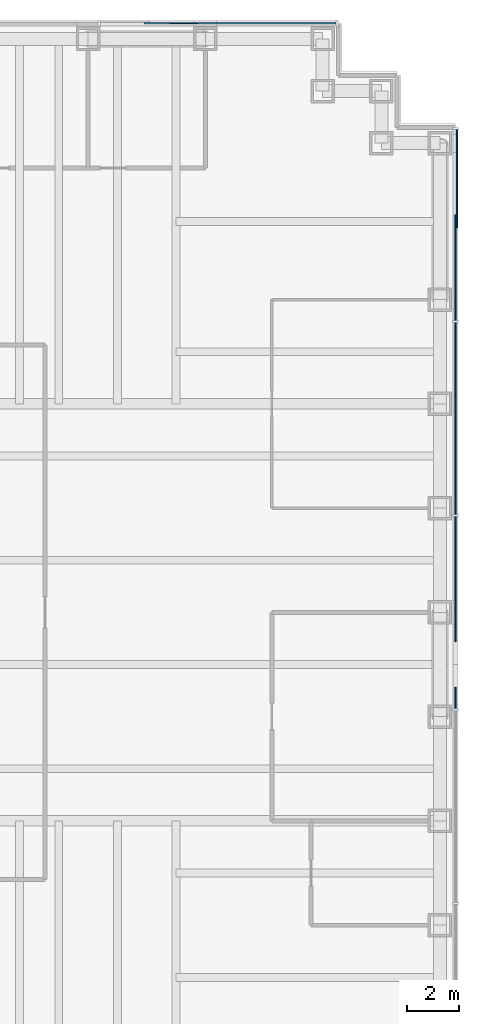
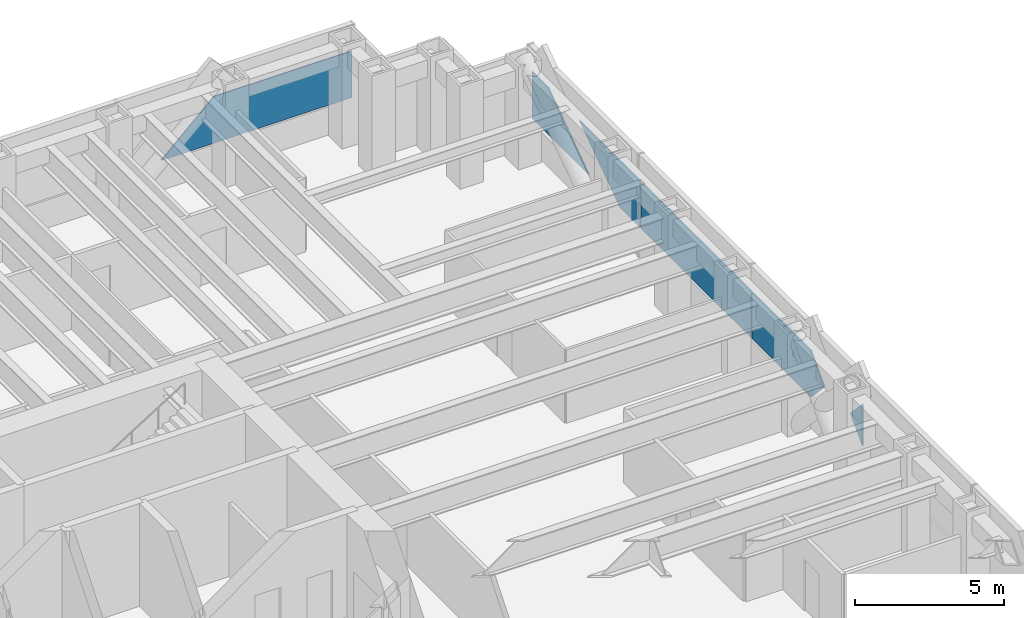
# One storey, part 10 of 16: 6 plates, 2 elements without a shape of their own.
"""IFC4 building model written with IfcOpenShell, lengths in metres."""

from ifc_helpers import new_model, si_unit, direction, frame, origin, origin_2d, place, context, subcontext, project, spatial, polyline, rectangle, outline, extrude, material, layer, layer_set, type_object, element, aggregate, save


model = new_model("IFC4")

# Units and contexts
model_context = context("Model", 3, precision=1e-05, world=origin(), true_north=direction((0.0, 1.0)))
body_context = subcontext(model_context, "Body", "Model", "MODEL_VIEW")
ifc_project = project(units=[si_unit("LENGTHUNIT", "METRE"), si_unit("AREAUNIT", "SQUARE_METRE"), si_unit("VOLUMEUNIT", "CUBIC_METRE"), si_unit("PLANEANGLEUNIT", "RADIAN"), si_unit("MASSUNIT", "GRAM", prefix="KILO")], contexts=[model_context])

# Site, building, storey
site_placement = place(None, origin())
site = spatial("IfcSite", under=ifc_project, at=site_placement, CompositionType="ELEMENT")
building_placement = place(site_placement, origin())
building = spatial("IfcBuilding", under=site, at=building_placement, Name="Rheinbord Bourse Tower", CompositionType="ELEMENT")
storey_placement = place(building_placement, frame((0.0, 0.0, 176.10009765625)))
storey = spatial("IfcBuildingStorey", under=building, at=storey_placement, Name="L39", CompositionType="ELEMENT", Elevation=176.10009765625)

# Curtain wall, plates
ifc_material_1 = material(Name="Dark glass and black aluminium", Category="aluminium")
curtain_wall_type = type_object("IfcCurtainWallType", Name="CW5 DARK GLASS CURTAIN WALL", PredefinedType="USERDEFINED", material=ifc_material_1)
curtain_wall_1_placement = place(storey_placement, origin())
curtain_wall_1 = element("IfcCurtainWall", 1, at=curtain_wall_1_placement, inside=storey, type_object=curtain_wall_type, Name="Curtain wall CW5 E L39", ObjectType="UNITISED CURTAIN WALL", PredefinedType="USERDEFINED")
ifc_material_2 = material(Name="Dark tinted triple insulating glass", Category="glass")
ifc_layer = layer(ifc_material_2, 0.050048828125)
ifc_layer_set = layer_set([ifc_layer], Name="CW5 DARK GLASS PANEL")
plate_type = type_object("IfcPlateType", Name="CW5 DARK GLASS PANEL", PredefinedType="CURTAIN_PANEL", material=ifc_layer_set)
plate_1_placement = place(storey_placement, frame((72.60009765625, 31.43994140625, 1.14990234375), z_axis=(0.0, 0.0, 1.0), x_axis=(0.0, 1.0, 0.0)))
plate_1 = element("IfcPlate", 2, at=plate_1_placement, type_object=plate_type, Name="CW5 panel 4.1", PredefinedType="CURTAIN_PANEL", context=body_context, shape_type="SweptSolid", body=[
    extrude(rectangle(XDim=7.360107421875, YDim=0.050048828125, at=origin_2d()), origin(), (0.0, 0.0, 1.0), 1.89990234375),
])
plate_2_placement = place(storey_placement, frame((72.625, 20.320068359375, 2.950927734375), z_axis=(-1.0, 0.0, 0.0), x_axis=(0.0, 0.689872933294, -0.723930477262)))
plate_2 = element("IfcPlate", 3, at=plate_2_placement, type_object=plate_type, Name="CW5 glass facet 1", PredefinedType="CURTAIN_PANEL", context=body_context, shape_type="SweptSolid", body=[
    extrude(outline(polyline([(0.0, 0.0), (1.175537109375, 0.0), (1.232177734375, 1.174072265625), (0.0, 0.0)])), origin(), (0.0, 0.0, 1.0), 0.050048828125),
])
plate_3_placement = place(storey_placement, frame((72.625, 27.679931640625, 3.0498046875), z_axis=(-1.0, 0.0, 0.0), x_axis=(0.0, 0.0, -1.0)))
plate_3 = element("IfcPlate", 4, at=plate_3_placement, type_object=plate_type, Name="CW5 glass facet 2", PredefinedType="CURTAIN_PANEL", context=body_context, shape_type="SweptSolid", body=[
    extrude(outline(polyline([(0.0, 0.0), (1.89990234375, 0.0), (1.89990234375, 3.906005859375), (0.949951171875, 4.81103515625), (0.0, 3.906005859375), (0.0, 0.0)])), origin(), (0.0, 0.0, 1.0), 0.050048828125),
])
plate_4_placement = place(storey_placement, frame((72.625, 35.199951171875, 1.14990234375), z_axis=(-1.0, 0.0, 0.0), x_axis=(0.0, 0.0, 1.0)))
plate_4 = element("IfcPlate", 5, at=plate_4_placement, type_object=plate_type, Name="CW5 glass facet 1", PredefinedType="CURTAIN_PANEL", context=body_context, shape_type="SweptSolid", body=[
    extrude(outline(polyline([(0.0, 0.0), (1.89990234375, 0.0), (1.89990234375, 4.05908203125), (0.0, 1.344970703125), (0.0, 0.0)])), origin(), (0.0, 0.0, 1.0), 0.050048828125),
])
plate_5_placement = place(storey_placement, frame((72.68017578125, 42.52001953125, 3.0498046875), z_axis=(-1.0, 0.0, 0.0), x_axis=(0.0, 0.0, -1.0)))
plate_5 = element("IfcPlate", 6, at=plate_5_placement, type_object=plate_type, Name="CW5 glass facet 2", PredefinedType="CURTAIN_PANEL", context=body_context, shape_type="SweptSolid", body=[
    extrude(outline(polyline([(0.0, 0.0), (1.89990234375, 0.0), (1.89990234375, 3.779052734375), (0.0, 1.06494140625), (0.0, 0.0)])), origin(), (0.0, 0.0, 1.0), 0.050048828125),
])
aggregate(curtain_wall_1, [plate_1, plate_2, plate_3, plate_4, plate_5])

# Curtain wall, plate
curtain_wall_2_placement = place(storey_placement, origin())
curtain_wall_2 = element("IfcCurtainWall", 7, at=curtain_wall_2_placement, inside=storey, type_object=curtain_wall_type, Name="Curtain wall CW5 N L39", ObjectType="UNITISED CURTAIN WALL", PredefinedType="USERDEFINED")
plate_6_placement = place(storey_placement, frame((68.02001953125, 46.625, 1.14990234375), z_axis=(0.0, -1.0, 0.0), x_axis=(0.0, 0.0, 1.0)))
plate_6 = element("IfcPlate", 8, at=plate_6_placement, type_object=plate_type, Name="CW5 glass facet 1", PredefinedType="CURTAIN_PANEL", context=body_context, shape_type="SweptSolid", body=[
    extrude(outline(polyline([(0.0, 0.0), (1.89990234375, 0.0), (1.89990234375, 5.330078125), (0.0, 7.364990234375), (0.0, 0.0)])), origin(), (0.0, 0.0, 1.0), 0.050048828125),
])
aggregate(curtain_wall_2, [plate_6])

save(model, "model.ifc")
